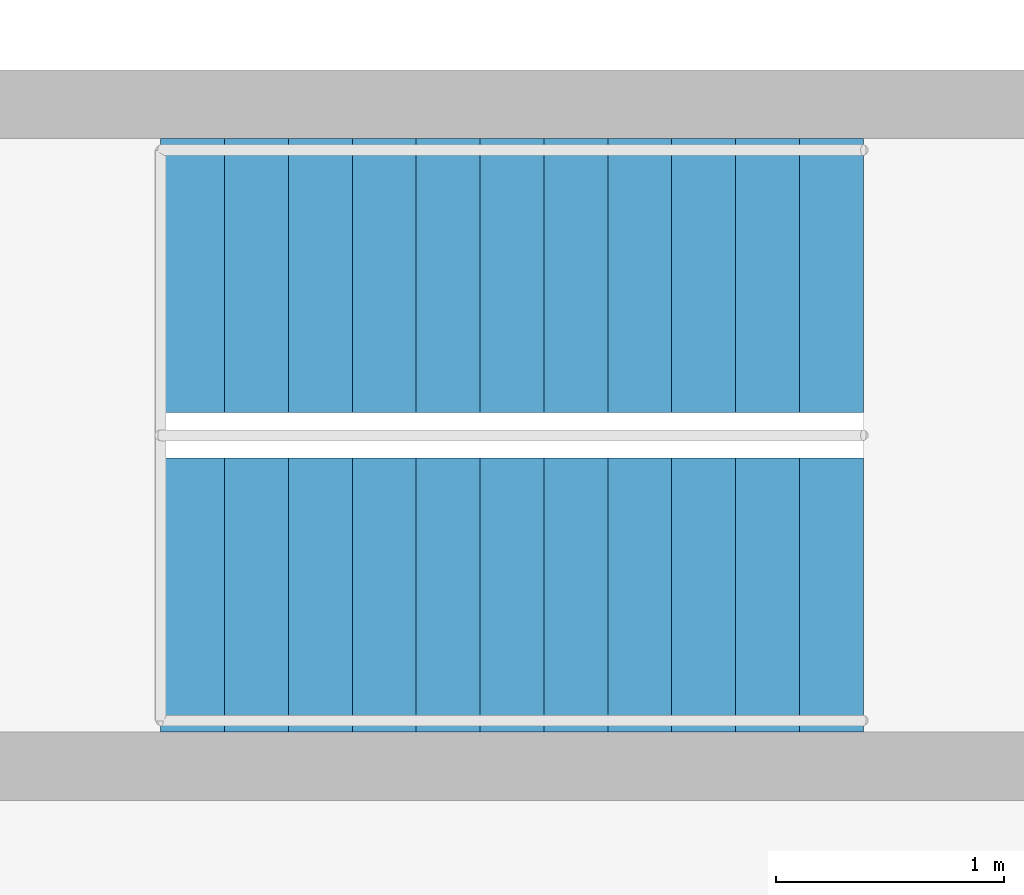
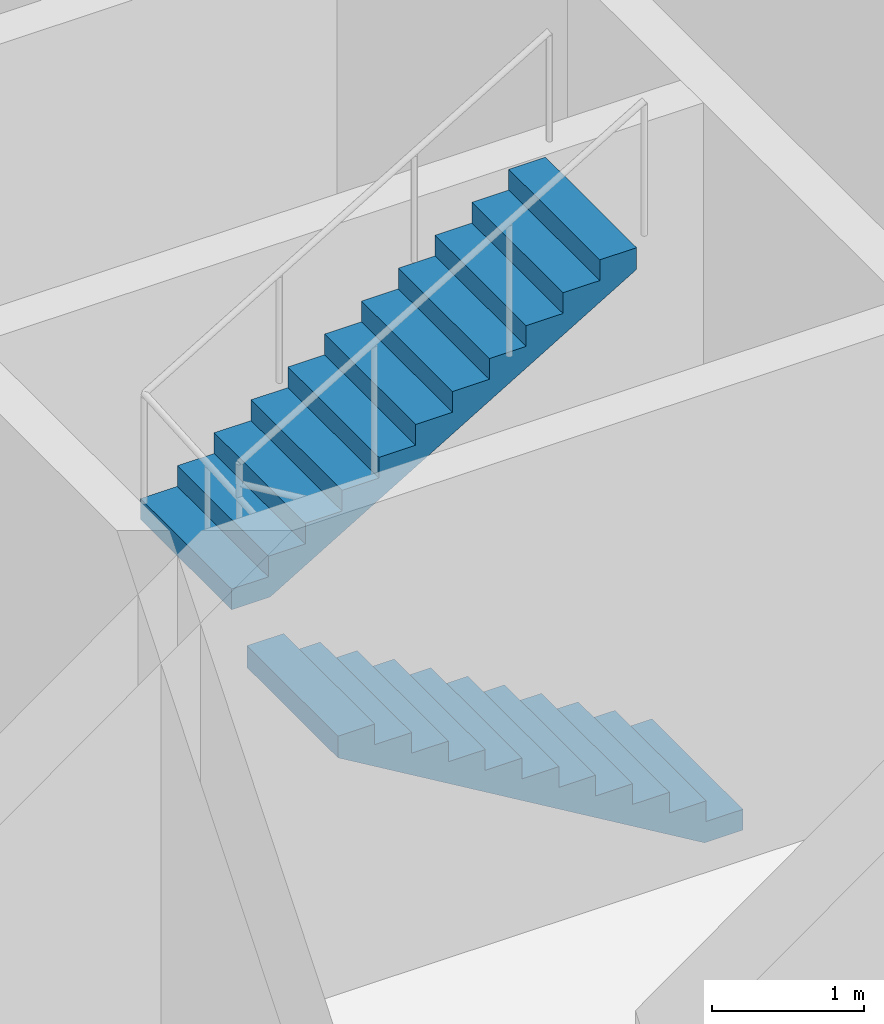
# One storey, part 6 of 13: 2 stair flights, 1 element without a shape of its own.
"""IFC4 building model written with IfcOpenShell, lengths in metres."""

from ifc_helpers import new_model, si_unit, direction, frame, origin, place, context, subcontext, project, spatial, polyline, outline, extrude, material, type_object, element, aggregate, save


model = new_model("IFC4")

# Units and contexts
model_context = context("Model", 3, precision=1e-05, world=origin(), true_north=direction((0.0, 1.0)))
body_context = subcontext(model_context, "Body", "Model", "MODEL_VIEW")
ifc_project = project(units=[si_unit("LENGTHUNIT", "METRE"), si_unit("AREAUNIT", "SQUARE_METRE"), si_unit("VOLUMEUNIT", "CUBIC_METRE"), si_unit("PLANEANGLEUNIT", "RADIAN"), si_unit("MASSUNIT", "GRAM", prefix="KILO")], contexts=[model_context])

# Site, building, storey
site_placement = place(None, origin())
site = spatial("IfcSite", under=ifc_project, at=site_placement, CompositionType="ELEMENT")
building_placement = place(site_placement, origin())
building = spatial("IfcBuilding", under=site, at=building_placement, Name="Entoto Ring Tower", CompositionType="ELEMENT")
storey_placement = place(building_placement, frame((0.0, 0.0, 250.0)))
storey = spatial("IfcBuildingStorey", under=building, at=storey_placement, Name="L57", CompositionType="ELEMENT", Elevation=250.0)

# Stair, stair flights
ifc_material_1 = material(Name="Concrete C40/50", Category="concrete")
stair_type = type_object("IfcStairType", Name="Exit stair 1200 mm dog-leg reinforced concrete", PredefinedType="HALF_TURN_STAIR", material=ifc_material_1)
stair_placement = place(storey_placement, origin())
stair = element("IfcStair", 1, at=stair_placement, inside=storey, type_object=stair_type, Name="Exit stair 1", PredefinedType="HALF_TURN_STAIR")
ifc_material_2 = material(Name="Concrete C40/50", Category="concrete")
stair_flight_type = type_object("IfcStairFlightType", Name="Stair flight 1200 mm reinforced concrete", PredefinedType="STRAIGHT", material=ifc_material_2)
stair_flight_1_placement = place(storey_placement, frame((99.25, 85.550048828125, 0.0), z_axis=(0.0, 0.0, 1.0), x_axis=(-1.0, 0.0, 0.0)))
stair_flight_1 = element("IfcStairFlight", 2, at=stair_flight_1_placement, type_object=stair_flight_type, Name="ST1 flight 1", NumberOfRisers=12, NumberOfTreads=11, PredefinedType="STRAIGHT", RiserHeight=0.166666667, TreadLength=0.28, context=body_context, shape_type="SweptSolid", body=[
    extrude(outline(polyline([(0.0, 0.0), (0.0, 0.166748046875), (0.280029296875, 0.166748046875), (0.280029296875, 0.333251953125), (0.56005859375, 0.333251953125), (0.56005859375, 0.5), (0.840087890625, 0.5), (0.840087890625, 0.666748046875), (1.1201171875, 0.666748046875), (1.1201171875, 0.833251953125), (1.39990234375, 0.833251953125), (1.39990234375, 1.0), (1.679931640625, 1.0), (1.679931640625, 1.166748046875), (1.9599609375, 1.166748046875), (1.9599609375, 1.333251953125), (2.239990234375, 1.333251953125), (2.239990234375, 1.5), (2.52001953125, 1.5), (2.52001953125, 1.666748046875), (2.800048828125, 1.666748046875), (2.800048828125, 1.833251953125), (3.080078125, 1.833251953125), (3.080078125, 2.0), (3.080078125, 1.658935546875), (0.29296875, 0.0), (0.0, 0.0)])), frame((0.0, 0.60009765625, 0.0), z_axis=(0.0, -1.0, 0.0), x_axis=(1.0, 0.0, 0.0)), (0.0, 0.0, 1.0), 1.199951171875),
])
stair_flight_2_placement = place(storey_placement, frame((96.169921875, 86.949951171875, 2.0), z_axis=(0.0, 0.0, 1.0), x_axis=(1.0, 0.0, 0.0)))
stair_flight_2 = element("IfcStairFlight", 3, at=stair_flight_2_placement, type_object=stair_flight_type, Name="ST1 flight 2", NumberOfRisers=12, NumberOfTreads=11, PredefinedType="STRAIGHT", RiserHeight=0.166666667, TreadLength=0.28, context=body_context, shape_type="SweptSolid", body=[
    extrude(outline(polyline([(0.0, 0.0), (0.0, 0.166748046875), (0.280029296875, 0.166748046875), (0.280029296875, 0.333251953125), (0.56005859375, 0.333251953125), (0.56005859375, 0.5), (0.840087890625, 0.5), (0.840087890625, 0.666748046875), (1.1201171875, 0.666748046875), (1.1201171875, 0.833251953125), (1.39990234375, 0.833251953125), (1.39990234375, 1.0), (1.679931640625, 1.0), (1.679931640625, 1.166748046875), (1.9599609375, 1.166748046875), (1.9599609375, 1.333251953125), (2.239990234375, 1.333251953125), (2.239990234375, 1.5), (2.52001953125, 1.5), (2.52001953125, 1.666748046875), (2.800048828125, 1.666748046875), (2.800048828125, 1.833251953125), (3.080078125, 1.833251953125), (3.080078125, 2.0), (3.080078125, 1.658935546875), (0.29296875, 0.0), (0.0, 0.0)])), frame((0.0, 0.60009765625, 0.0), z_axis=(0.0, -1.0, 0.0), x_axis=(1.0, 0.0, 0.0)), (0.0, 0.0, 1.0), 1.199951171875),
])
aggregate(stair, [stair_flight_1, stair_flight_2])

save(model, "model.ifc")
